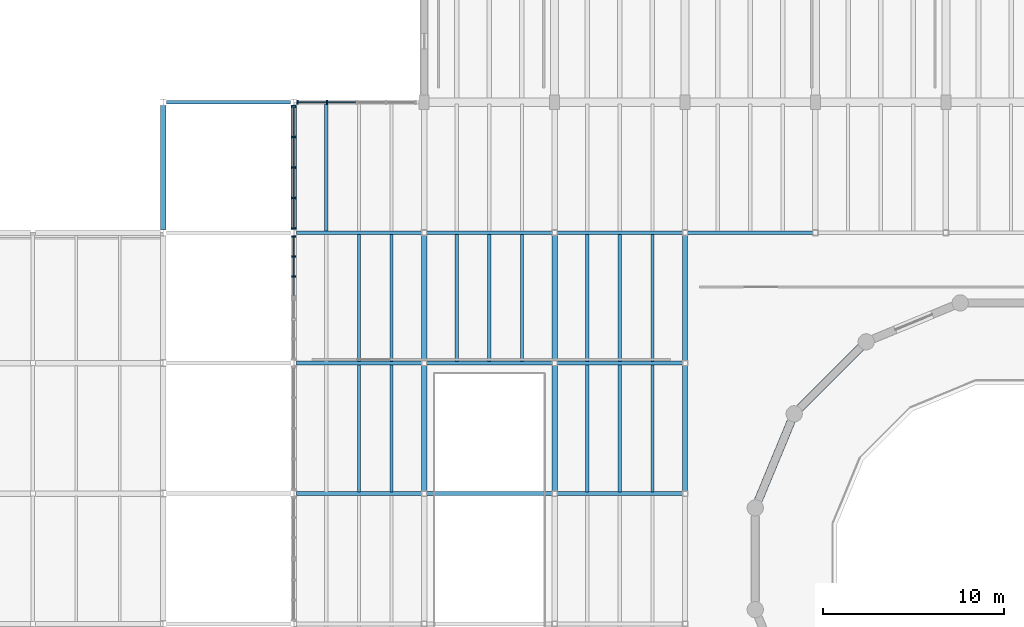
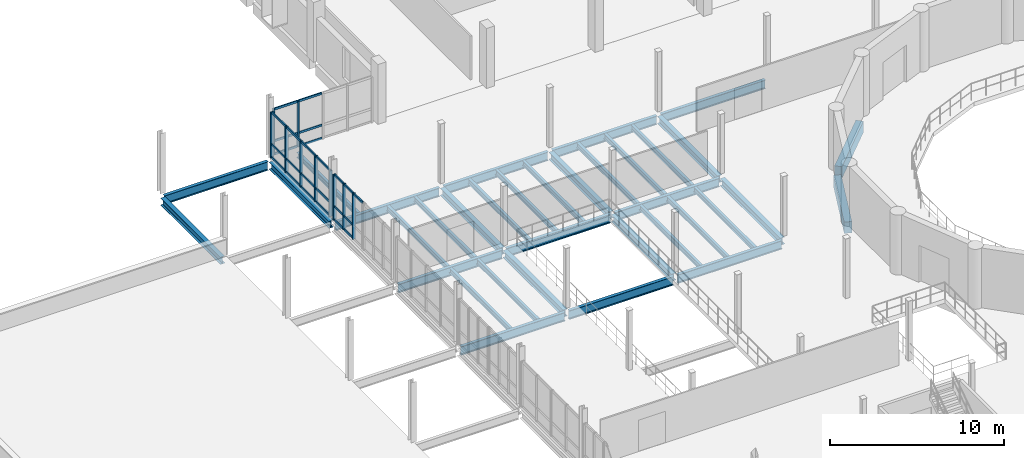
# One storey, part 30 of 72: 35 beams, 35 members, 3 elements without a shape of their own.
"""IFC4 building model written with IfcOpenShell, lengths in metres."""

from ifc_helpers import new_model, si_unit, direction, frame, origin, origin_2d, place, context, subcontext, project, spatial, rectangle, i_section, extrude, material, material_profile, profile_set, type_object, element, aggregate, save


model = new_model("IFC4")

# Units and contexts
model_context = context("Model", 3, precision=1e-05, world=origin(), true_north=direction((0.0, 1.0)))
body_context = subcontext(model_context, "Body", "Model", "MODEL_VIEW")
ifc_project = project(units=[si_unit("LENGTHUNIT", "METRE"), si_unit("AREAUNIT", "SQUARE_METRE"), si_unit("VOLUMEUNIT", "CUBIC_METRE"), si_unit("PLANEANGLEUNIT", "RADIAN"), si_unit("MASSUNIT", "GRAM", prefix="KILO")], contexts=[model_context])

# Site, building, storey
site_placement = place(None, origin())
site = spatial("IfcSite", under=ifc_project, at=site_placement, CompositionType="ELEMENT")
building_placement = place(site_placement, origin())
building = spatial("IfcBuilding", under=site, at=building_placement, Name="Qiaolan Assembly House", CompositionType="ELEMENT")
storey_placement = place(building_placement, frame((0.0, 0.0, 10.199951171875)))
storey = spatial("IfcBuildingStorey", under=building, at=storey_placement, Name="L02", CompositionType="ELEMENT", Elevation=10.199951171875)

# Beams
ifc_material_1 = material(Name="Concrete C40/50", Category="concrete")
ifc_material_profile_1 = material_profile(ifc_material_1, rectangle(XDim=0.449951171875, YDim=0.800048828125, at=origin_2d()), Name="RCB 450x800")
ifc_profile_set_1 = profile_set([ifc_material_profile_1], Name="Concrete C40/50")
beam_type_1 = type_object("IfcBeamType", Name="BM-RC-450x800", PredefinedType="BEAM", material=ifc_profile_set_1)
beam_1_placement = place(storey_placement, frame((60.088623046875, 72.862060546875, -0.68994140625), z_axis=(-0.707081019969, -0.707132541466, 0.0), x_axis=(0.707132541466, -0.707081019969, 0.0)))
element("IfcBeam", 1, at=beam_1_placement, inside=storey, type_object=beam_type_1, Name="GB-03 beam BM-DRUM-L02-05", PredefinedType="BEAM", context=body_context, shape_type="SweptSolid", body=[
    extrude(rectangle(XDim=0.449951171875, YDim=0.800048828125, at=origin_2d()), origin(), (0.0, 0.0, 1.0), 4.738525390625),
])
beam_2_placement = place(storey_placement, frame((56.258544921875, 68.793701171875, -0.68994140625), z_axis=(-0.382697610123, -0.923873659764, 0.0), x_axis=(0.923873659764, -0.382697610123, 0.0)))
element("IfcBeam", 2, at=beam_2_placement, inside=storey, type_object=beam_type_1, Name="GB-03 beam BM-DRUM-L02-06", PredefinedType="BEAM", context=body_context, shape_type="SweptSolid", body=[
    extrude(rectangle(XDim=0.449951171875, YDim=0.800048828125, at=origin_2d()), origin(), (0.0, 0.0, 1.0), 4.73876953125),
])
ifc_material_2 = material(Name="Steel Q355B", Category="steel")
ifc_material_profile_2 = material_profile(ifc_material_2, i_section(OverallWidth=0.300048828125, OverallDepth=0.5, WebThickness=0.010986328125, FlangeThickness=0.01806640625, FilletRadius=0.02001953125, at=origin_2d()), Name="HM 500x300x11x18")
ifc_profile_set_2 = profile_set([ifc_material_profile_2], Name="Steel Q355B")
beam_type_2 = type_object("IfcBeamType", Name="BM-STL-HM500", PredefinedType="BEAM", material=ifc_profile_set_2)
for number, where, z_axis, x_axis, name in (
    (3, (21.60009765625, 79.364990234375, -0.550048828125), (0.0, 1.0, 0.0), (-1.0, 0.0, 0.0), "SB-15 beam BMY-HL-L02-00-06"),
    (4, (28.800048828125, 79.364990234375, -0.550048828125), (0.0, 1.0, 0.0), (-1.0, 0.0, 0.0), "SB-15 beam BMY-HL-L02-01-06"),
):
    element("IfcBeam", number, at=place(storey_placement, frame(where, z_axis=z_axis, x_axis=x_axis)), inside=storey, type_object=beam_type_2, Name=name, PredefinedType="BEAM", context=body_context, shape_type="SweptSolid", body=[
        extrude(i_section(OverallWidth=0.300048828125, OverallDepth=0.5, WebThickness=0.010986328125, FlangeThickness=0.01806640625, FilletRadius=0.02001953125, at=origin_2d()), origin(), (0.0, 0.0, 1.0), 6.8701171875),
    ])
for number, where, z_axis, x_axis, name in (
    (5, (36.0, 64.93994140625, -0.550048828125), (0.0, 1.0, 0.0), (-1.0, 0.0, 0.0), "SB-15 beam BMY-HL-L02-02-04"),
    (6, (36.0, 72.139892578125, -0.550048828125), (0.0, 1.0, 0.0), (-1.0, 0.0, 0.0), "SB-15 beam BMY-HL-L02-02-05"),
    (7, (43.199951171875, 64.93994140625, -0.550048828125), (0.0, 1.0, 0.0), (-1.0, 0.0, 0.0), "SB-15 beam BMY-HL-L02-03-04"),
    (8, (43.199951171875, 72.139892578125, -0.550048828125), (0.0, 1.0, 0.0), (-1.0, 0.0, 0.0), "SB-15 beam BMY-HL-L02-03-05"),
    (9, (50.39990234375, 64.93994140625, -0.550048828125), (0.0, 1.0, 0.0), (-1.0, 0.0, 0.0), "SB-15 beam BMY-HL-L02-04-04"),
    (10, (50.39990234375, 72.139892578125, -0.550048828125), (0.0, 1.0, 0.0), (-1.0, 0.0, 0.0), "SB-15 beam BMY-HL-L02-04-05"),
):
    element("IfcBeam", number, at=place(storey_placement, frame(where, z_axis=z_axis, x_axis=x_axis)), inside=storey, type_object=beam_type_2, Name=name, PredefinedType="BEAM", context=body_context, shape_type="SweptSolid", body=[
        extrude(i_section(OverallWidth=0.300048828125, OverallDepth=0.5, WebThickness=0.010986328125, FlangeThickness=0.01806640625, FilletRadius=0.02001953125, at=origin_2d()), origin(), (0.0, 0.0, 1.0), 6.920166015625),
    ])
ifc_material_profile_3 = material_profile(ifc_material_2, i_section(OverallWidth=0.2099609375, OverallDepth=0.610107421875, WebThickness=0.010986328125, FlangeThickness=0.01806640625, FilletRadius=0.02001953125, at=origin_2d()), Name="HN 610x210x11x18")
ifc_profile_set_3 = profile_set([ifc_material_profile_3], Name="Steel Q355B")
beam_type_3 = type_object("IfcBeamType", Name="BM-STL-HN610", PredefinedType="BEAM", material=ifc_profile_set_3)
beam_3_placement = place(storey_placement, frame((28.965087890625, 64.800048828125, -0.60498046875), z_axis=(1.0, 0.0, 0.0), x_axis=(0.0, 1.0, 0.0)))
element("IfcBeam", 11, at=beam_3_placement, inside=storey, type_object=beam_type_3, Name="SB-11 beam BMX-HL-L02-01-04", PredefinedType="BEAM", context=body_context, shape_type="SweptSolid", body=[
    extrude(i_section(OverallWidth=0.2099609375, OverallDepth=0.610107421875, WebThickness=0.010986328125, FlangeThickness=0.01806640625, FilletRadius=0.02001953125, at=origin_2d()), origin(), (0.0, 0.0, 1.0), 6.89501953125),
])
beam_4_placement = place(storey_placement, frame((36.139892578125, 64.800048828125, -0.60498046875), z_axis=(1.0, 0.0, 0.0), x_axis=(0.0, 1.0, 0.0)))
element("IfcBeam", 12, at=beam_4_placement, inside=storey, type_object=beam_type_3, Name="SB-11 beam BMX-HL-L02-02-04", PredefinedType="BEAM", context=body_context, shape_type="SweptSolid", body=[
    extrude(i_section(OverallWidth=0.2099609375, OverallDepth=0.610107421875, WebThickness=0.010986328125, FlangeThickness=0.01806640625, FilletRadius=0.02001953125, at=origin_2d()), origin(), (0.0, 0.0, 1.0), 6.920166015625),
])
beam_5_placement = place(storey_placement, frame((43.340087890625, 64.800048828125, -0.60498046875), z_axis=(1.0, 0.0, 0.0), x_axis=(0.0, 1.0, 0.0)))
element("IfcBeam", 13, at=beam_5_placement, inside=storey, type_object=beam_type_3, Name="SB-11 beam BMX-HL-L02-03-04", PredefinedType="BEAM", context=body_context, shape_type="SweptSolid", body=[
    extrude(i_section(OverallWidth=0.2099609375, OverallDepth=0.610107421875, WebThickness=0.010986328125, FlangeThickness=0.01806640625, FilletRadius=0.02001953125, at=origin_2d()), origin(), (0.0, 0.0, 1.0), 6.919921875),
])
beam_6_placement = place(storey_placement, frame((28.965087890625, 72.0, -0.60498046875), z_axis=(1.0, 0.0, 0.0), x_axis=(0.0, 1.0, 0.0)))
element("IfcBeam", 14, at=beam_6_placement, inside=storey, type_object=beam_type_3, Name="SB-11 beam BMX-HL-L02-01-05", PredefinedType="BEAM", context=body_context, shape_type="SweptSolid", body=[
    extrude(i_section(OverallWidth=0.2099609375, OverallDepth=0.610107421875, WebThickness=0.010986328125, FlangeThickness=0.01806640625, FilletRadius=0.02001953125, at=origin_2d()), origin(), (0.0, 0.0, 1.0), 6.89501953125),
])
beam_7_placement = place(storey_placement, frame((36.139892578125, 72.0, -0.60498046875), z_axis=(1.0, 0.0, 0.0), x_axis=(0.0, 1.0, 0.0)))
element("IfcBeam", 15, at=beam_7_placement, inside=storey, type_object=beam_type_3, Name="SB-11 beam BMX-HL-L02-02-05", PredefinedType="BEAM", context=body_context, shape_type="SweptSolid", body=[
    extrude(i_section(OverallWidth=0.2099609375, OverallDepth=0.610107421875, WebThickness=0.010986328125, FlangeThickness=0.01806640625, FilletRadius=0.02001953125, at=origin_2d()), origin(), (0.0, 0.0, 1.0), 6.920166015625),
])
beam_8_placement = place(storey_placement, frame((43.340087890625, 72.0, -0.60498046875), z_axis=(1.0, 0.0, 0.0), x_axis=(0.0, 1.0, 0.0)))
element("IfcBeam", 16, at=beam_8_placement, inside=storey, type_object=beam_type_3, Name="SB-11 beam BMX-HL-L02-03-05", PredefinedType="BEAM", context=body_context, shape_type="SweptSolid", body=[
    extrude(i_section(OverallWidth=0.2099609375, OverallDepth=0.610107421875, WebThickness=0.010986328125, FlangeThickness=0.01806640625, FilletRadius=0.02001953125, at=origin_2d()), origin(), (0.0, 0.0, 1.0), 6.919921875),
])
beam_9_placement = place(storey_placement, frame((28.965087890625, 79.199951171875, -0.60498046875), z_axis=(1.0, 0.0, 0.0), x_axis=(0.0, 1.0, 0.0)))
element("IfcBeam", 17, at=beam_9_placement, inside=storey, type_object=beam_type_3, Name="SB-11 beam BMX-HL-L02-01-06", PredefinedType="BEAM", context=body_context, shape_type="SweptSolid", body=[
    extrude(i_section(OverallWidth=0.2099609375, OverallDepth=0.610107421875, WebThickness=0.010986328125, FlangeThickness=0.01806640625, FilletRadius=0.02001953125, at=origin_2d()), origin(), (0.0, 0.0, 1.0), 6.89501953125),
])
beam_10_placement = place(storey_placement, frame((36.139892578125, 79.199951171875, -0.60498046875), z_axis=(1.0, 0.0, 0.0), x_axis=(0.0, 1.0, 0.0)))
element("IfcBeam", 18, at=beam_10_placement, inside=storey, type_object=beam_type_3, Name="SB-11 beam BMX-HL-L02-02-06", PredefinedType="BEAM", context=body_context, shape_type="SweptSolid", body=[
    extrude(i_section(OverallWidth=0.2099609375, OverallDepth=0.610107421875, WebThickness=0.010986328125, FlangeThickness=0.01806640625, FilletRadius=0.02001953125, at=origin_2d()), origin(), (0.0, 0.0, 1.0), 6.920166015625),
])
for number, where, z_axis, x_axis, name in (
    (19, (43.340087890625, 79.199951171875, -0.60498046875), (1.0, 0.0, 0.0), (0.0, 1.0, 0.0), "SB-11 beam BMX-HL-L02-03-06"),
    (20, (50.5400390625, 79.199951171875, -0.60498046875), (1.0, 0.0, 0.0), (0.0, 1.0, 0.0), "SB-11 beam BMX-HL-L02-04-06"),
):
    element("IfcBeam", number, at=place(storey_placement, frame(where, z_axis=z_axis, x_axis=x_axis)), inside=storey, type_object=beam_type_3, Name=name, PredefinedType="BEAM", context=body_context, shape_type="SweptSolid", body=[
        extrude(i_section(OverallWidth=0.2099609375, OverallDepth=0.610107421875, WebThickness=0.010986328125, FlangeThickness=0.01806640625, FilletRadius=0.02001953125, at=origin_2d()), origin(), (0.0, 0.0, 1.0), 6.919921875),
    ])
beam_11_placement = place(storey_placement, frame((21.764892578125, 86.39990234375, -0.60498046875), z_axis=(1.0, 0.0, 0.0), x_axis=(0.0, 1.0, 0.0)))
element("IfcBeam", 21, at=beam_11_placement, inside=storey, type_object=beam_type_3, Name="SB-11 beam BMX-HL-L02-00-07", PredefinedType="BEAM", context=body_context, shape_type="SweptSolid", body=[
    extrude(i_section(OverallWidth=0.2099609375, OverallDepth=0.610107421875, WebThickness=0.010986328125, FlangeThickness=0.01806640625, FilletRadius=0.02001953125, at=origin_2d()), origin(), (0.0, 0.0, 1.0), 6.8701171875),
])

# Curtain wall, members
ifc_material_3 = material(Name="Anodised bronze aluminium", Category="aluminium")
curtain_wall_type = type_object("IfcCurtainWallType", Name="CW-HALL-UPPER-480", PredefinedType="NOTDEFINED", material=ifc_material_3)
curtain_wall_1_placement = place(storey_placement, origin())
curtain_wall_1 = element("IfcCurtainWall", 22, at=curtain_wall_1_placement, inside=storey, type_object=curtain_wall_type, Name="CW-01 Hall West facade L02-5B", PredefinedType="NOTDEFINED")
ifc_material_profile_4 = material_profile(ifc_material_3, rectangle(XDim=0.0859375, YDim=0.199951171875, at=origin_2d()), Name="MUL 86x200")
ifc_profile_set_4 = profile_set([ifc_material_profile_4], Name="Anodised bronze aluminium")
member_type_1 = type_object("IfcMemberType", Name="CW-HALL-UPPER-480-MUL", PredefinedType="MULLION", material=ifc_profile_set_4)
member_1_placement = place(storey_placement, frame((28.800048828125, 76.780029296875, 0.0), z_axis=(0.0, 0.0, 1.0), x_axis=(0.0, 1.0, 0.0)))
member_1 = element("IfcMember", 23, at=member_1_placement, type_object=member_type_1, Name="ML-02 mullion CW-HALL-W-L02-5B-2", PredefinedType="MULLION", context=body_context, shape_type="SweptSolid", body=[
    extrude(rectangle(XDim=0.0859375, YDim=0.199951171875, at=origin_2d()), origin(), (0.0, 0.0, 1.0), 3.199951171875),
])
member_2_placement = place(storey_placement, frame((28.800048828125, 77.8798828125, 0.0), z_axis=(0.0, 0.0, 1.0), x_axis=(0.0, 1.0, 0.0)))
member_2 = element("IfcMember", 24, at=member_2_placement, type_object=member_type_1, Name="ML-02 mullion CW-HALL-W-L02-5B-3", PredefinedType="MULLION", context=body_context, shape_type="SweptSolid", body=[
    extrude(rectangle(XDim=0.0859375, YDim=0.199951171875, at=origin_2d()), origin(), (0.0, 0.0, 1.0), 3.199951171875),
])
member_3_placement = place(storey_placement, frame((28.800048828125, 78.97998046875, 0.0), z_axis=(0.0, 0.0, 1.0), x_axis=(0.0, 1.0, 0.0)))
member_3 = element("IfcMember", 25, at=member_3_placement, type_object=member_type_1, Name="ML-02 mullion CW-HALL-W-L02-5B-4", PredefinedType="MULLION", context=body_context, shape_type="SweptSolid", body=[
    extrude(rectangle(XDim=0.0859375, YDim=0.199951171875, at=origin_2d()), origin(), (0.0, 0.0, 1.0), 3.199951171875),
])

curtain_wall_2_placement = place(storey_placement, origin())
curtain_wall_2 = element("IfcCurtainWall", 26, at=curtain_wall_2_placement, inside=storey, type_object=curtain_wall_type, Name="CW-01 Hall West facade L02-6", PredefinedType="NOTDEFINED")
member_4_placement = place(storey_placement, frame((28.800048828125, 79.419921875, 0.0), z_axis=(0.0, 0.0, 1.0), x_axis=(0.0, 1.0, 0.0)))
member_4 = element("IfcMember", 27, at=member_4_placement, type_object=member_type_1, Name="ML-02 mullion CW-HALL-W-L02-6-1", PredefinedType="MULLION", context=body_context, shape_type="SweptSolid", body=[
    extrude(rectangle(XDim=0.0859375, YDim=0.199951171875, at=origin_2d()), origin(), (0.0, 0.0, 1.0), 3.199951171875),
])
member_5_placement = place(storey_placement, frame((28.800048828125, 81.110107421875, 0.0), z_axis=(0.0, 0.0, 1.0), x_axis=(0.0, 1.0, 0.0)))
member_5 = element("IfcMember", 28, at=member_5_placement, type_object=member_type_1, Name="ML-02 mullion CW-HALL-W-L02-6-2", PredefinedType="MULLION", context=body_context, shape_type="SweptSolid", body=[
    extrude(rectangle(XDim=0.0859375, YDim=0.199951171875, at=origin_2d()), origin(), (0.0, 0.0, 1.0), 3.199951171875),
])
member_6_placement = place(storey_placement, frame((28.800048828125, 82.800048828125, 0.0), z_axis=(0.0, 0.0, 1.0), x_axis=(0.0, 1.0, 0.0)))
member_6 = element("IfcMember", 29, at=member_6_placement, type_object=member_type_1, Name="ML-02 mullion CW-HALL-W-L02-6-3", PredefinedType="MULLION", context=body_context, shape_type="SweptSolid", body=[
    extrude(rectangle(XDim=0.0859375, YDim=0.199951171875, at=origin_2d()), origin(), (0.0, 0.0, 1.0), 3.199951171875),
])
member_7_placement = place(storey_placement, frame((28.800048828125, 84.489990234375, 0.0), z_axis=(0.0, 0.0, 1.0), x_axis=(0.0, 1.0, 0.0)))
member_7 = element("IfcMember", 30, at=member_7_placement, type_object=member_type_1, Name="ML-02 mullion CW-HALL-W-L02-6-4", PredefinedType="MULLION", context=body_context, shape_type="SweptSolid", body=[
    extrude(rectangle(XDim=0.0859375, YDim=0.199951171875, at=origin_2d()), origin(), (0.0, 0.0, 1.0), 3.199951171875),
])
member_8_placement = place(storey_placement, frame((28.800048828125, 86.179931640625, 0.0), z_axis=(0.0, 0.0, 1.0), x_axis=(0.0, 1.0, 0.0)))
member_8 = element("IfcMember", 31, at=member_8_placement, type_object=member_type_1, Name="ML-02 mullion CW-HALL-W-L02-6-5", PredefinedType="MULLION", context=body_context, shape_type="SweptSolid", body=[
    extrude(rectangle(XDim=0.0859375, YDim=0.199951171875, at=origin_2d()), origin(), (0.0, 0.0, 1.0), 3.199951171875),
])

curtain_wall_3_placement = place(storey_placement, origin())
curtain_wall_3 = element("IfcCurtainWall", 32, at=curtain_wall_3_placement, inside=storey, type_object=curtain_wall_type, Name="CW-02 Hall North-West link CW L02", PredefinedType="NOTDEFINED")
member_9_placement = place(storey_placement, frame((30.64501953125, 86.39990234375, 0.0), z_axis=(0.0, 0.0, 1.0), x_axis=(-1.0, 0.0, 0.0)))
member_9 = element("IfcMember", 33, at=member_9_placement, type_object=member_type_1, Name="ML-02 mullion CW-HALL-NWJ-L02-4", PredefinedType="MULLION", context=body_context, shape_type="SweptSolid", body=[
    extrude(rectangle(XDim=0.0859375, YDim=0.199951171875, at=origin_2d()), origin(), (0.0, 0.0, 1.0), 3.199951171875),
])
member_10_placement = place(storey_placement, frame((29.02001953125, 86.39990234375, 0.0), z_axis=(0.0, 0.0, 1.0), x_axis=(-1.0, 0.0, 0.0)))
member_10 = element("IfcMember", 34, at=member_10_placement, type_object=member_type_1, Name="ML-02 mullion CW-HALL-NWJ-L02-5", PredefinedType="MULLION", context=body_context, shape_type="SweptSolid", body=[
    extrude(rectangle(XDim=0.0859375, YDim=0.199951171875, at=origin_2d()), origin(), (0.0, 0.0, 1.0), 3.199951171875),
])

# Member
ifc_material_profile_5 = material_profile(ifc_material_3, rectangle(XDim=0.075927734375, YDim=0.14990234375, at=origin_2d()), Name="TRN 76x150")
ifc_profile_set_5 = profile_set([ifc_material_profile_5], Name="Anodised bronze aluminium")
member_type_2 = type_object("IfcMemberType", Name="CW-HALL-UPPER-480-TRN", PredefinedType="USERDEFINED", material=ifc_profile_set_5)
member_11_placement = place(storey_placement, frame((28.800048828125, 75.722900390625, 3.170166015625), z_axis=(0.0, 1.0, 0.0), x_axis=(-1.0, 0.0, 0.0)))
member_11 = element("IfcMember", 35, at=member_11_placement, type_object=member_type_2, Name="TR-02 transom CW-HALL-W-L02-5B-1-3", ObjectType="TRANSOM", PredefinedType="USERDEFINED", context=body_context, shape_type="SweptSolid", body=[
    extrude(rectangle(XDim=0.075927734375, YDim=0.14990234375, at=origin_2d()), origin(), (0.0, 0.0, 1.0), 1.01416015625),
])

member_12_placement = place(storey_placement, frame((28.800048828125, 76.822998046875, 0.030029296875), z_axis=(0.0, 1.0, 0.0), x_axis=(-1.0, 0.0, 0.0)))
member_12 = element("IfcMember", 36, at=member_12_placement, type_object=member_type_2, Name="TR-02 transom CW-HALL-W-L02-5B-2-1", ObjectType="TRANSOM", PredefinedType="USERDEFINED", context=body_context, shape_type="SweptSolid", body=[
    extrude(rectangle(XDim=0.075927734375, YDim=0.14990234375, at=origin_2d()), origin(), (0.0, 0.0, 1.0), 1.013916015625),
])

member_13_placement = place(storey_placement, frame((28.800048828125, 76.822998046875, 0.949951171875), z_axis=(0.0, 1.0, 0.0), x_axis=(-1.0, 0.0, 0.0)))
member_13 = element("IfcMember", 37, at=member_13_placement, type_object=member_type_2, Name="TR-02 transom CW-HALL-W-L02-5B-2-2", ObjectType="TRANSOM", PredefinedType="USERDEFINED", context=body_context, shape_type="SweptSolid", body=[
    extrude(rectangle(XDim=0.075927734375, YDim=0.14990234375, at=origin_2d()), origin(), (0.0, 0.0, 1.0), 1.013916015625),
])

member_14_placement = place(storey_placement, frame((28.800048828125, 76.822998046875, 3.170166015625), z_axis=(0.0, 1.0, 0.0), x_axis=(-1.0, 0.0, 0.0)))
member_14 = element("IfcMember", 38, at=member_14_placement, type_object=member_type_2, Name="TR-02 transom CW-HALL-W-L02-5B-2-3", ObjectType="TRANSOM", PredefinedType="USERDEFINED", context=body_context, shape_type="SweptSolid", body=[
    extrude(rectangle(XDim=0.075927734375, YDim=0.14990234375, at=origin_2d()), origin(), (0.0, 0.0, 1.0), 1.013916015625),
])

member_15_placement = place(storey_placement, frame((28.800048828125, 77.923095703125, 0.030029296875), z_axis=(0.0, 1.0, 0.0), x_axis=(-1.0, 0.0, 0.0)))
member_15 = element("IfcMember", 39, at=member_15_placement, type_object=member_type_2, Name="TR-02 transom CW-HALL-W-L02-5B-3-1", ObjectType="TRANSOM", PredefinedType="USERDEFINED", context=body_context, shape_type="SweptSolid", body=[
    extrude(rectangle(XDim=0.075927734375, YDim=0.14990234375, at=origin_2d()), origin(), (0.0, 0.0, 1.0), 1.013916015625),
])

member_16_placement = place(storey_placement, frame((28.800048828125, 77.923095703125, 0.949951171875), z_axis=(0.0, 1.0, 0.0), x_axis=(-1.0, 0.0, 0.0)))
member_16 = element("IfcMember", 40, at=member_16_placement, type_object=member_type_2, Name="TR-02 transom CW-HALL-W-L02-5B-3-2", ObjectType="TRANSOM", PredefinedType="USERDEFINED", context=body_context, shape_type="SweptSolid", body=[
    extrude(rectangle(XDim=0.075927734375, YDim=0.14990234375, at=origin_2d()), origin(), (0.0, 0.0, 1.0), 1.013916015625),
])

member_17_placement = place(storey_placement, frame((28.800048828125, 77.923095703125, 3.170166015625), z_axis=(0.0, 1.0, 0.0), x_axis=(-1.0, 0.0, 0.0)))
member_17 = element("IfcMember", 41, at=member_17_placement, type_object=member_type_2, Name="TR-02 transom CW-HALL-W-L02-5B-3-3", ObjectType="TRANSOM", PredefinedType="USERDEFINED", context=body_context, shape_type="SweptSolid", body=[
    extrude(rectangle(XDim=0.075927734375, YDim=0.14990234375, at=origin_2d()), origin(), (0.0, 0.0, 1.0), 1.013916015625),
])

aggregate(curtain_wall_1, [member_1, member_2, member_3, member_11, member_12, member_13, member_14, member_15, member_16, member_17])

member_18_placement = place(storey_placement, frame((28.800048828125, 79.462890625, 0.030029296875), z_axis=(0.0, 1.0, 0.0), x_axis=(-1.0, 0.0, 0.0)))
member_18 = element("IfcMember", 42, at=member_18_placement, type_object=member_type_2, Name="TR-02 transom CW-HALL-W-L02-6-1-1", ObjectType="TRANSOM", PredefinedType="USERDEFINED", context=body_context, shape_type="SweptSolid", body=[
    extrude(rectangle(XDim=0.075927734375, YDim=0.14990234375, at=origin_2d()), origin(), (0.0, 0.0, 1.0), 1.60400390625),
])

member_19_placement = place(storey_placement, frame((28.800048828125, 79.462890625, 0.949951171875), z_axis=(0.0, 1.0, 0.0), x_axis=(-1.0, 0.0, 0.0)))
member_19 = element("IfcMember", 43, at=member_19_placement, type_object=member_type_2, Name="TR-02 transom CW-HALL-W-L02-6-1-2", ObjectType="TRANSOM", PredefinedType="USERDEFINED", context=body_context, shape_type="SweptSolid", body=[
    extrude(rectangle(XDim=0.075927734375, YDim=0.14990234375, at=origin_2d()), origin(), (0.0, 0.0, 1.0), 1.60400390625),
])

member_20_placement = place(storey_placement, frame((28.800048828125, 79.462890625, 3.170166015625), z_axis=(0.0, 1.0, 0.0), x_axis=(-1.0, 0.0, 0.0)))
member_20 = element("IfcMember", 44, at=member_20_placement, type_object=member_type_2, Name="TR-02 transom CW-HALL-W-L02-6-1-3", ObjectType="TRANSOM", PredefinedType="USERDEFINED", context=body_context, shape_type="SweptSolid", body=[
    extrude(rectangle(XDim=0.075927734375, YDim=0.14990234375, at=origin_2d()), origin(), (0.0, 0.0, 1.0), 1.60400390625),
])

member_21_placement = place(storey_placement, frame((28.800048828125, 81.153076171875, 0.030029296875), z_axis=(0.0, 1.0, 0.0), x_axis=(-1.0, 0.0, 0.0)))
member_21 = element("IfcMember", 45, at=member_21_placement, type_object=member_type_2, Name="TR-02 transom CW-HALL-W-L02-6-2-1", ObjectType="TRANSOM", PredefinedType="USERDEFINED", context=body_context, shape_type="SweptSolid", body=[
    extrude(rectangle(XDim=0.075927734375, YDim=0.14990234375, at=origin_2d()), origin(), (0.0, 0.0, 1.0), 1.60400390625),
])

member_22_placement = place(storey_placement, frame((28.800048828125, 81.153076171875, 0.949951171875), z_axis=(0.0, 1.0, 0.0), x_axis=(-1.0, 0.0, 0.0)))
member_22 = element("IfcMember", 46, at=member_22_placement, type_object=member_type_2, Name="TR-02 transom CW-HALL-W-L02-6-2-2", ObjectType="TRANSOM", PredefinedType="USERDEFINED", context=body_context, shape_type="SweptSolid", body=[
    extrude(rectangle(XDim=0.075927734375, YDim=0.14990234375, at=origin_2d()), origin(), (0.0, 0.0, 1.0), 1.60400390625),
])

member_23_placement = place(storey_placement, frame((28.800048828125, 81.153076171875, 3.170166015625), z_axis=(0.0, 1.0, 0.0), x_axis=(-1.0, 0.0, 0.0)))
member_23 = element("IfcMember", 47, at=member_23_placement, type_object=member_type_2, Name="TR-02 transom CW-HALL-W-L02-6-2-3", ObjectType="TRANSOM", PredefinedType="USERDEFINED", context=body_context, shape_type="SweptSolid", body=[
    extrude(rectangle(XDim=0.075927734375, YDim=0.14990234375, at=origin_2d()), origin(), (0.0, 0.0, 1.0), 1.60400390625),
])

member_24_placement = place(storey_placement, frame((28.800048828125, 82.843017578125, 0.030029296875), z_axis=(0.0, 1.0, 0.0), x_axis=(-1.0, 0.0, 0.0)))
member_24 = element("IfcMember", 48, at=member_24_placement, type_object=member_type_2, Name="TR-02 transom CW-HALL-W-L02-6-3-1", ObjectType="TRANSOM", PredefinedType="USERDEFINED", context=body_context, shape_type="SweptSolid", body=[
    extrude(rectangle(XDim=0.075927734375, YDim=0.14990234375, at=origin_2d()), origin(), (0.0, 0.0, 1.0), 1.60400390625),
])

member_25_placement = place(storey_placement, frame((28.800048828125, 82.843017578125, 0.949951171875), z_axis=(0.0, 1.0, 0.0), x_axis=(-1.0, 0.0, 0.0)))
member_25 = element("IfcMember", 49, at=member_25_placement, type_object=member_type_2, Name="TR-02 transom CW-HALL-W-L02-6-3-2", ObjectType="TRANSOM", PredefinedType="USERDEFINED", context=body_context, shape_type="SweptSolid", body=[
    extrude(rectangle(XDim=0.075927734375, YDim=0.14990234375, at=origin_2d()), origin(), (0.0, 0.0, 1.0), 1.60400390625),
])

member_26_placement = place(storey_placement, frame((28.800048828125, 82.843017578125, 3.170166015625), z_axis=(0.0, 1.0, 0.0), x_axis=(-1.0, 0.0, 0.0)))
member_26 = element("IfcMember", 50, at=member_26_placement, type_object=member_type_2, Name="TR-02 transom CW-HALL-W-L02-6-3-3", ObjectType="TRANSOM", PredefinedType="USERDEFINED", context=body_context, shape_type="SweptSolid", body=[
    extrude(rectangle(XDim=0.075927734375, YDim=0.14990234375, at=origin_2d()), origin(), (0.0, 0.0, 1.0), 1.60400390625),
])

member_27_placement = place(storey_placement, frame((28.800048828125, 84.532958984375, 0.030029296875), z_axis=(0.0, 1.0, 0.0), x_axis=(-1.0, 0.0, 0.0)))
member_27 = element("IfcMember", 51, at=member_27_placement, type_object=member_type_2, Name="TR-02 transom CW-HALL-W-L02-6-4-1", ObjectType="TRANSOM", PredefinedType="USERDEFINED", context=body_context, shape_type="SweptSolid", body=[
    extrude(rectangle(XDim=0.075927734375, YDim=0.14990234375, at=origin_2d()), origin(), (0.0, 0.0, 1.0), 1.60400390625),
])

member_28_placement = place(storey_placement, frame((28.800048828125, 84.532958984375, 0.949951171875), z_axis=(0.0, 1.0, 0.0), x_axis=(-1.0, 0.0, 0.0)))
member_28 = element("IfcMember", 52, at=member_28_placement, type_object=member_type_2, Name="TR-02 transom CW-HALL-W-L02-6-4-2", ObjectType="TRANSOM", PredefinedType="USERDEFINED", context=body_context, shape_type="SweptSolid", body=[
    extrude(rectangle(XDim=0.075927734375, YDim=0.14990234375, at=origin_2d()), origin(), (0.0, 0.0, 1.0), 1.60400390625),
])

member_29_placement = place(storey_placement, frame((28.800048828125, 84.532958984375, 3.170166015625), z_axis=(0.0, 1.0, 0.0), x_axis=(-1.0, 0.0, 0.0)))
member_29 = element("IfcMember", 53, at=member_29_placement, type_object=member_type_2, Name="TR-02 transom CW-HALL-W-L02-6-4-3", ObjectType="TRANSOM", PredefinedType="USERDEFINED", context=body_context, shape_type="SweptSolid", body=[
    extrude(rectangle(XDim=0.075927734375, YDim=0.14990234375, at=origin_2d()), origin(), (0.0, 0.0, 1.0), 1.60400390625),
])

aggregate(curtain_wall_2, [member_4, member_5, member_6, member_7, member_8, member_18, member_19, member_20, member_21, member_22, member_23, member_24, member_25, member_26, member_27, member_28, member_29])

member_30_placement = place(storey_placement, frame((32.22705078125, 86.39990234375, 0.030029296875), z_axis=(-1.0, 0.0, 0.0), x_axis=(0.0, -1.0, 0.0)))
member_30 = element("IfcMember", 54, at=member_30_placement, type_object=member_type_2, Name="TR-02 transom CW-HALL-NWJ-L02-3-1", ObjectType="TRANSOM", PredefinedType="USERDEFINED", context=body_context, shape_type="SweptSolid", body=[
    extrude(rectangle(XDim=0.075927734375, YDim=0.14990234375, at=origin_2d()), origin(), (0.0, 0.0, 1.0), 1.5390625),
])

member_31_placement = place(storey_placement, frame((32.22705078125, 86.39990234375, 0.949951171875), z_axis=(-1.0, 0.0, 0.0), x_axis=(0.0, -1.0, 0.0)))
member_31 = element("IfcMember", 55, at=member_31_placement, type_object=member_type_2, Name="TR-02 transom CW-HALL-NWJ-L02-3-2", ObjectType="TRANSOM", PredefinedType="USERDEFINED", context=body_context, shape_type="SweptSolid", body=[
    extrude(rectangle(XDim=0.075927734375, YDim=0.14990234375, at=origin_2d()), origin(), (0.0, 0.0, 1.0), 1.5390625),
])

member_32_placement = place(storey_placement, frame((32.22705078125, 86.39990234375, 3.170166015625), z_axis=(-1.0, 0.0, 0.0), x_axis=(0.0, -1.0, 0.0)))
member_32 = element("IfcMember", 56, at=member_32_placement, type_object=member_type_2, Name="TR-02 transom CW-HALL-NWJ-L02-3-3", ObjectType="TRANSOM", PredefinedType="USERDEFINED", context=body_context, shape_type="SweptSolid", body=[
    extrude(rectangle(XDim=0.075927734375, YDim=0.14990234375, at=origin_2d()), origin(), (0.0, 0.0, 1.0), 1.5390625),
])

member_33_placement = place(storey_placement, frame((30.60205078125, 86.39990234375, 0.030029296875), z_axis=(-1.0, 0.0, 0.0), x_axis=(0.0, -1.0, 0.0)))
member_33 = element("IfcMember", 57, at=member_33_placement, type_object=member_type_2, Name="TR-02 transom CW-HALL-NWJ-L02-4-1", ObjectType="TRANSOM", PredefinedType="USERDEFINED", context=body_context, shape_type="SweptSolid", body=[
    extrude(rectangle(XDim=0.075927734375, YDim=0.14990234375, at=origin_2d()), origin(), (0.0, 0.0, 1.0), 1.5390625),
])

member_34_placement = place(storey_placement, frame((30.60205078125, 86.39990234375, 0.949951171875), z_axis=(-1.0, 0.0, 0.0), x_axis=(0.0, -1.0, 0.0)))
member_34 = element("IfcMember", 58, at=member_34_placement, type_object=member_type_2, Name="TR-02 transom CW-HALL-NWJ-L02-4-2", ObjectType="TRANSOM", PredefinedType="USERDEFINED", context=body_context, shape_type="SweptSolid", body=[
    extrude(rectangle(XDim=0.075927734375, YDim=0.14990234375, at=origin_2d()), origin(), (0.0, 0.0, 1.0), 1.5390625),
])

member_35_placement = place(storey_placement, frame((30.60205078125, 86.39990234375, 3.170166015625), z_axis=(-1.0, 0.0, 0.0), x_axis=(0.0, -1.0, 0.0)))
member_35 = element("IfcMember", 59, at=member_35_placement, type_object=member_type_2, Name="TR-02 transom CW-HALL-NWJ-L02-4-3", ObjectType="TRANSOM", PredefinedType="USERDEFINED", context=body_context, shape_type="SweptSolid", body=[
    extrude(rectangle(XDim=0.075927734375, YDim=0.14990234375, at=origin_2d()), origin(), (0.0, 0.0, 1.0), 1.5390625),
])

aggregate(curtain_wall_3, [member_9, member_10, member_30, member_31, member_32, member_33, member_34, member_35])

# Beams
ifc_material_profile_6 = material_profile(ifc_material_2, i_section(OverallWidth=0.179931640625, OverallDepth=0.35498046875, WebThickness=0.007568359375, FlangeThickness=0.011474609375, FilletRadius=0.013916015625, at=origin_2d()), Name="HM 355x180x7.5x11.5")
ifc_profile_set_6 = profile_set([ifc_material_profile_6], Name="Steel Q355B")
beam_type_4 = type_object("IfcBeamType", Name="JST-STL-HM355", PredefinedType="JOIST", material=ifc_profile_set_6)
for number, where, z_axis, x_axis, name in (
    (60, (32.39990234375, 64.89892578125, -0.4775390625), (0.0, 1.0, 0.0), (-1.0, 0.0, 0.0), "SJ-04 beam JST-HL-L02-01-04-2"),
    (61, (34.199951171875, 64.89892578125, -0.4775390625), (0.0, 1.0, 0.0), (-1.0, 0.0, 0.0), "SJ-04 beam JST-HL-L02-01-04-3"),
    (62, (32.39990234375, 72.09912109375, -0.4775390625), (0.0, 1.0, 0.0), (-1.0, 0.0, 0.0), "SJ-04 beam JST-HL-L02-01-05-2"),
    (63, (34.199951171875, 72.09912109375, -0.4775390625), (0.0, 1.0, 0.0), (-1.0, 0.0, 0.0), "SJ-04 beam JST-HL-L02-01-05-3"),
    (64, (30.60009765625, 79.299072265625, -0.4775390625), (0.0, 1.0, 0.0), (-1.0, 0.0, 0.0), "SJ-04 beam JST-HL-L02-01-06-1"),
    (65, (37.800048828125, 72.09912109375, -0.4775390625), (0.0, 1.0, 0.0), (-1.0, 0.0, 0.0), "SJ-04 beam JST-HL-L02-02-05-1"),
    (66, (39.60009765625, 72.09912109375, -0.4775390625), (0.0, 1.0, 0.0), (-1.0, 0.0, 0.0), "SJ-04 beam JST-HL-L02-02-05-2"),
    (67, (41.39990234375, 72.09912109375, -0.4775390625), (0.0, 1.0, 0.0), (-1.0, 0.0, 0.0), "SJ-04 beam JST-HL-L02-02-05-3"),
    (68, (45.0, 64.89892578125, -0.4775390625), (0.0, 1.0, 0.0), (-1.0, 0.0, 0.0), "SJ-04 beam JST-HL-L02-03-04-1"),
    (69, (46.800048828125, 64.89892578125, -0.4775390625), (0.0, 1.0, 0.0), (-1.0, 0.0, 0.0), "SJ-04 beam JST-HL-L02-03-04-2"),
    (70, (48.60009765625, 64.89892578125, -0.4775390625), (0.0, 1.0, 0.0), (-1.0, 0.0, 0.0), "SJ-04 beam JST-HL-L02-03-04-3"),
    (71, (45.0, 72.09912109375, -0.4775390625), (0.0, 1.0, 0.0), (-1.0, 0.0, 0.0), "SJ-04 beam JST-HL-L02-03-05-1"),
    (72, (46.800048828125, 72.09912109375, -0.4775390625), (0.0, 1.0, 0.0), (-1.0, 0.0, 0.0), "SJ-04 beam JST-HL-L02-03-05-2"),
    (73, (48.60009765625, 72.09912109375, -0.4775390625), (0.0, 1.0, 0.0), (-1.0, 0.0, 0.0), "SJ-04 beam JST-HL-L02-03-05-3"),
):
    element("IfcBeam", number, at=place(storey_placement, frame(where, z_axis=z_axis, x_axis=x_axis)), inside=storey, type_object=beam_type_4, Name=name, PredefinedType="JOIST", context=body_context, shape_type="SweptSolid", body=[
        extrude(i_section(OverallWidth=0.179931640625, OverallDepth=0.35498046875, WebThickness=0.007568359375, FlangeThickness=0.011474609375, FilletRadius=0.013916015625, at=origin_2d()), origin(), (0.0, 0.0, 1.0), 7.001953125),
    ])

save(model, "model.ifc")
